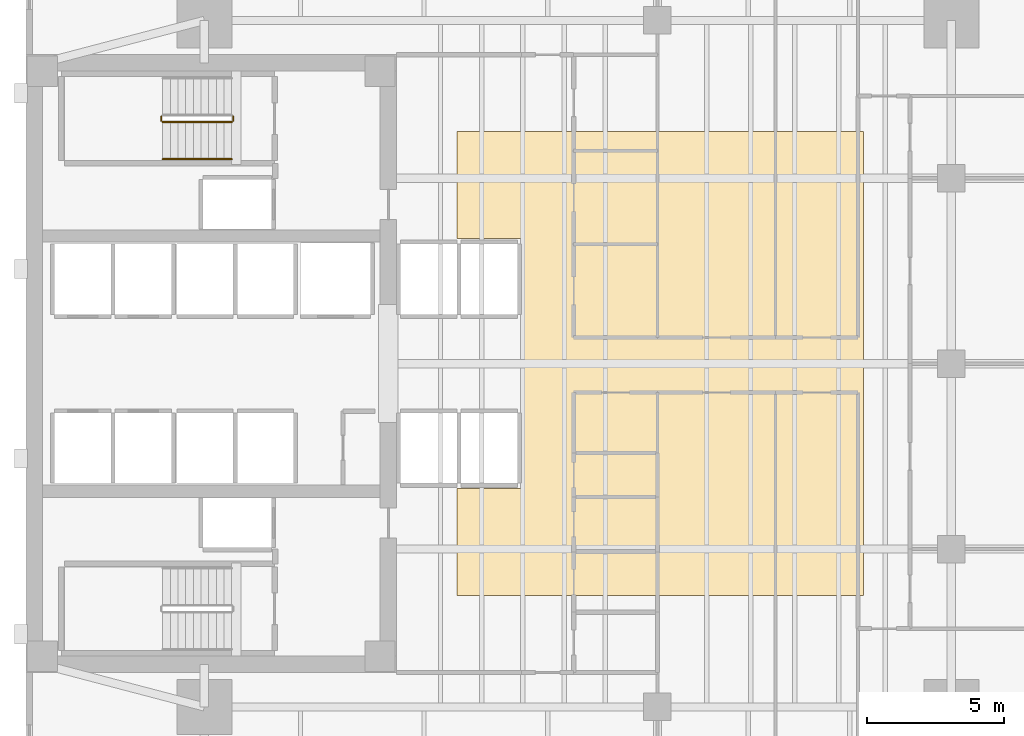
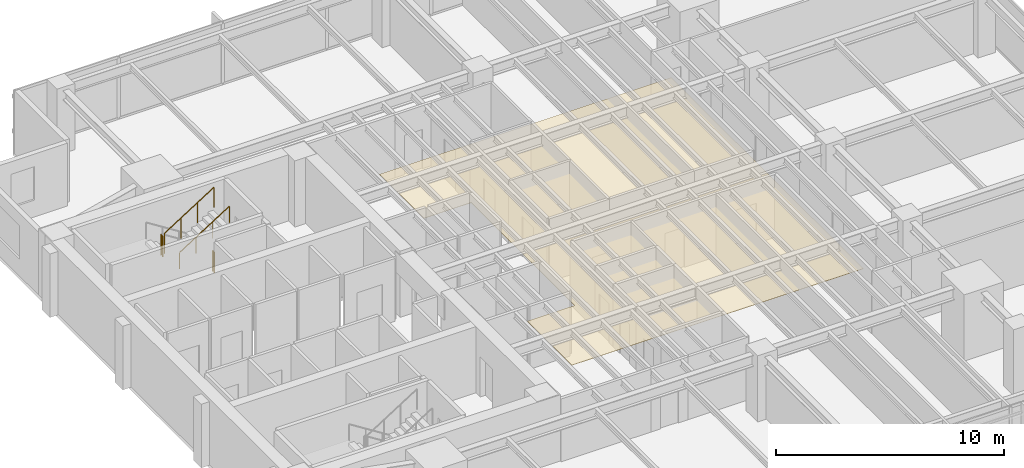
# One storey, part 13 of 14: 4 railings, 1 covering.
"""IFC4 building model written with IfcOpenShell, lengths in metres."""

from ifc_helpers import new_model, si_unit, direction, frame, origin, origin_2d, place, context, subcontext, project, spatial, polyline, circle, outline, extrude, material, layer, layer_set, type_object, element, save


model = new_model("IFC4")

# Units and contexts
model_context = context("Model", 3, precision=1e-05, world=origin(), true_north=direction((0.0, 1.0)))
body_context = subcontext(model_context, "Body", "Model", "MODEL_VIEW")
ifc_project = project(units=[si_unit("LENGTHUNIT", "METRE"), si_unit("AREAUNIT", "SQUARE_METRE"), si_unit("VOLUMEUNIT", "CUBIC_METRE"), si_unit("PLANEANGLEUNIT", "RADIAN"), si_unit("MASSUNIT", "GRAM", prefix="KILO")], contexts=[model_context])

# Site, building, storey
site_placement = place(None, origin())
site = spatial("IfcSite", under=ifc_project, at=site_placement, CompositionType="ELEMENT")
building_placement = place(site_placement, origin())
building = spatial("IfcBuilding", under=site, at=building_placement, Name="Kinhvarn Gate Tower", CompositionType="ELEMENT")
storey_placement = place(building_placement, frame((0.0, 0.0, 102.25)))
storey = spatial("IfcBuildingStorey", under=building, at=storey_placement, Name="L26", CompositionType="ELEMENT", Elevation=102.25)

# Covering
ifc_material_1 = material(Name="Mineral-fibre acoustic ceiling tile")
ifc_layer = layer(ifc_material_1, 0.02001953125)
ifc_layer_set = layer_set([ifc_layer], Name="Mineral-fibre acoustic ceiling tile")
covering_type = type_object("IfcCoveringType", Name="COV-CEIL-20", PredefinedType="CEILING", material=ifc_layer_set)
covering_placement = place(storey_placement, frame((0.0, 0.0, 2.64990234375)))
element("IfcCovering", 1, at=covering_placement, inside=storey, type_object=covering_type, Name="Suspended Acoustic Ceiling Tile (L26-1)", PredefinedType="CEILING", context=body_context, shape_type="SweptSolid", body=[
    extrude(outline(polyline([(35.0, 33.699951171875), (35.0, 16.800048828125), (20.199951171875, 16.800048828125), (20.199951171875, 20.699951171875), (22.60009765625, 20.699951171875), (22.60009765625, 29.800048828125), (20.199951171875, 29.800048828125), (20.199951171875, 33.699951171875), (35.0, 33.699951171875)])), origin(), (0.0, 0.0, 1.0), 0.02001953125),
])

# Railings
ifc_material_2 = material(Name="Steel S355", Category="steel")
railing_type_1 = type_object("IfcRailingType", Name="RL-ST-GRD", PredefinedType="BALUSTRADE", material=ifc_material_2)
railing_1_placement = place(storey_placement, frame((9.429931640625, 34.25, 1.77490234375)))
element("IfcRailing", 2, at=railing_1_placement, inside=storey, type_object=railing_type_1, Name="L26 ST2 stair guard 2", PredefinedType="BALUSTRADE", context=body_context, shape_type="SweptSolid", body=[
    extrude(circle(Radius=0.02392578125, at=origin_2d()), frame((0.0, 0.0, 1.076171875), z_axis=(0.0, -1.0, 0.0), x_axis=(1.0, 0.0, 0.0)), (0.0, 0.0, 1.0), 0.14990234375),
    extrude(circle(Radius=0.02099609375, at=origin_2d()), origin(), (0.0, 0.0, 1.0), 1.052001953125),
    extrude(circle(Radius=0.02099609375, at=origin_2d()), frame((0.0, -0.14990234375, 0.0)), (0.0, 0.0, 1.0), 1.052001953125),
])
railing_2_placement = place(storey_placement, frame((9.47998046875, 34.050048828125, 1.952392578125)))
element("IfcRailing", 3, at=railing_2_placement, inside=storey, type_object=railing_type_1, Name="L26 ST2 stair guard 3", PredefinedType="BALUSTRADE", context=body_context, shape_type="SweptSolid", body=[
    extrude(circle(Radius=0.02392578125, at=origin_2d()), frame((0.0, 0.0, 1.076171875), z_axis=(0.84456994832, 0.0, 0.535445237532), x_axis=(0.0, 1.0, 0.0)), (0.0, 0.0, 1.0), 2.98388671875),
    extrude(circle(Radius=0.02099609375, at=origin_2d()), origin(), (0.0, 0.0, 1.0), 1.052001953125),
    extrude(circle(Radius=0.02099609375, at=origin_2d()), frame((0.840087890625, 0.0, 0.532470703125)), (0.0, 0.0, 1.0), 1.052001953125),
    extrude(circle(Radius=0.02099609375, at=origin_2d()), frame((1.679931640625, 0.0, 1.065185546875)), (0.0, 0.0, 1.0), 1.052001953125),
    extrude(circle(Radius=0.02099609375, at=origin_2d()), frame((2.52001953125, 0.0, 1.59765625)), (0.0, 0.0, 1.0), 1.052001953125),
])
railing_3_placement = place(storey_placement, frame((12.050048828125, 34.25, 0.0)))
element("IfcRailing", 4, at=railing_3_placement, inside=storey, type_object=railing_type_1, Name="L26 ST2 stair guard 4", PredefinedType="BALUSTRADE", context=body_context, shape_type="SweptSolid", body=[
    extrude(circle(Radius=0.02392578125, at=origin_2d()), frame((0.0, 0.0, 1.076171875), z_axis=(0.0, -1.0, 0.0), x_axis=(1.0, 0.0, 0.0)), (0.0, 0.0, 1.0), 0.14990234375),
    extrude(circle(Radius=0.02099609375, at=origin_2d()), origin(), (0.0, 0.0, 1.0), 1.052001953125),
    extrude(circle(Radius=0.02099609375, at=origin_2d()), frame((0.0, -0.14990234375, 0.0)), (0.0, 0.0, 1.0), 1.052001953125),
])
railing_type_2 = type_object("IfcRailingType", Name="RL-ST-HND", PredefinedType="HANDRAIL", material=ifc_material_2)
railing_4_placement = place(storey_placement, frame((9.47998046875, 32.699951171875, 1.952392578125)))
element("IfcRailing", 5, at=railing_4_placement, inside=storey, type_object=railing_type_2, Name="L26 ST2 stair handrail 2", PredefinedType="HANDRAIL", context=body_context, shape_type="SweptSolid", body=[
    extrude(circle(Radius=0.02392578125, at=origin_2d()), frame((0.0, 0.0, 0.8759765625), z_axis=(0.84456994832, 0.0, 0.535445237532), x_axis=(0.0, 1.0, 0.0)), (0.0, 0.0, 1.0), 2.98388671875),
    extrude(circle(Radius=0.02099609375, at=origin_2d()), origin(), (0.0, 0.0, 1.0), 0.851806640625),
    extrude(circle(Radius=0.02099609375, at=origin_2d()), frame((0.840087890625, 0.0, 0.532470703125)), (0.0, 0.0, 1.0), 0.851806640625),
    extrude(circle(Radius=0.02099609375, at=origin_2d()), frame((1.679931640625, 0.0, 1.065185546875)), (0.0, 0.0, 1.0), 0.851806640625),
    extrude(circle(Radius=0.02099609375, at=origin_2d()), frame((2.52001953125, 0.0, 1.59765625)), (0.0, 0.0, 1.0), 0.851806640625),
])

save(model, "model.ifc")
